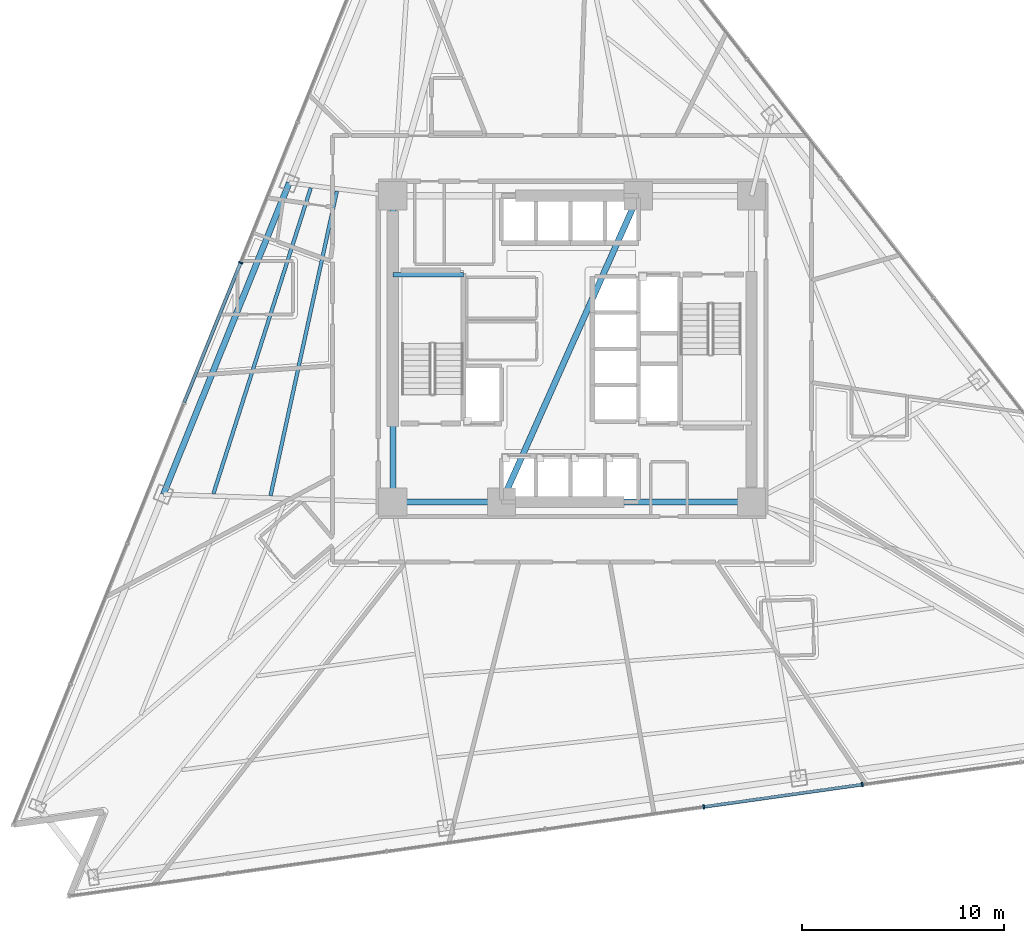
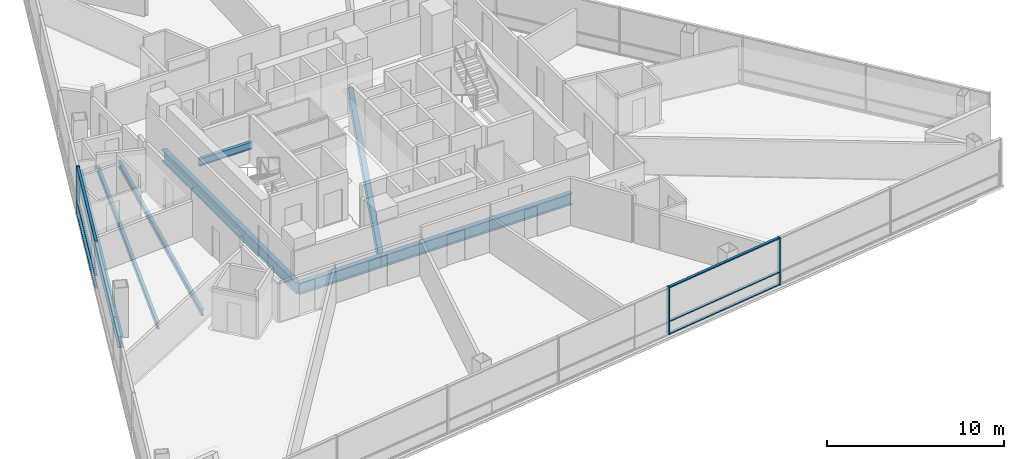
# One storey, part 3 of 15: 9 members, 8 beams, 2 elements without a shape of their own.
"""IFC4 building model written with IfcOpenShell, lengths in metres."""

from ifc_helpers import new_model, si_unit, direction, frame, origin, origin_2d, place, context, subcontext, project, spatial, rectangle, i_section, extrude, material, layer, layer_set, material_profile, profile_set, type_object, element, aggregate, save


model = new_model("IFC4")

# Units and contexts
model_context = context("Model", 3, precision=1e-05, world=origin(), true_north=direction((0.0, 1.0)))
body_context = subcontext(model_context, "Body", "Model", "MODEL_VIEW")
ifc_project = project(units=[si_unit("LENGTHUNIT", "METRE"), si_unit("AREAUNIT", "SQUARE_METRE"), si_unit("VOLUMEUNIT", "CUBIC_METRE"), si_unit("PLANEANGLEUNIT", "RADIAN"), si_unit("MASSUNIT", "GRAM", prefix="KILO")], contexts=[model_context])

# Site, building, storey
site_placement = place(None, origin())
site = spatial("IfcSite", under=ifc_project, at=site_placement, CompositionType="ELEMENT")
building_placement = place(site_placement, origin())
building = spatial("IfcBuilding", under=site, at=building_placement, Name="Tharavind Bronze Gate", CompositionType="ELEMENT")
storey_placement = place(building_placement, frame((0.0, 0.0, 67.300048828125)))
storey = spatial("IfcBuildingStorey", under=building, at=storey_placement, Name="L16", CompositionType="ELEMENT", Elevation=67.300048828125)

# Curtain wall, member
ifc_material_1 = material(Name="Anodised Bronze Aluminium", Category="aluminium")
ifc_layer = layer(ifc_material_1, 0.219970703125)
ifc_layer_set = layer_set([ifc_layer], Name="Anodised Bronze Aluminium")
curtain_wall_type = type_object("IfcCurtainWallType", Name="UNITISED CURTAIN WALL HOTEL", PredefinedType="USERDEFINED", material=ifc_layer_set)
curtain_wall_1_placement = place(storey_placement, origin())
curtain_wall_1 = element("IfcCurtainWall", 1, at=curtain_wall_1_placement, inside=storey, type_object=curtain_wall_type, Name="L16 unitised curtain wall hotel CW-L16-S1", ObjectType="UNITISED CURTAIN WALL", PredefinedType="USERDEFINED")
member_type_1 = type_object("IfcMemberType", Name="CURTAIN WALL MULLION 80X220", PredefinedType="MULLION", material=ifc_material_1)
member_1_placement = place(storey_placement, frame((-16.4462890625, 4.279541015625, 0.0), z_axis=(0.0, 0.0, 1.0), x_axis=(-0.374606593416, -0.927183854567, 0.0)))
member_1 = element("IfcMember", 2, at=member_1_placement, type_object=member_type_1, Name="CW-L16-S1 mullion 4", PredefinedType="MULLION", context=body_context, shape_type="SweptSolid", body=[
    extrude(rectangle(XDim=0.080078125, YDim=0.219970703125, at=origin_2d()), origin(), (0.0, 0.0, 1.0), 3.27490234375),
])

# Curtain wall, members
curtain_wall_2_placement = place(storey_placement, origin())
curtain_wall_2 = element("IfcCurtainWall", 3, at=curtain_wall_2_placement, inside=storey, type_object=curtain_wall_type, Name="L16 unitised curtain wall hotel CW-L16-S2", ObjectType="UNITISED CURTAIN WALL", PredefinedType="USERDEFINED")
member_2_placement = place(storey_placement, frame((6.52880859375, -22.7158203125, 0.0), z_axis=(0.0, 0.0, 1.0), x_axis=(0.990268068742, 0.13917310096, 0.0)))
member_2 = element("IfcMember", 4, at=member_2_placement, type_object=member_type_1, Name="CW-L16-S2 mullion 5", PredefinedType="MULLION", context=body_context, shape_type="SweptSolid", body=[
    extrude(rectangle(XDim=0.080078125, YDim=0.219970703125, at=origin_2d()), origin(), (0.0, 0.0, 1.0), 3.27490234375),
])
member_3_placement = place(storey_placement, frame((14.39501953125, -21.610107421875, 0.0), z_axis=(0.0, 0.0, 1.0), x_axis=(0.990268068742, 0.13917310096, 0.0)))
member_3 = element("IfcMember", 5, at=member_3_placement, type_object=member_type_1, Name="CW-L16-S2 mullion 6", PredefinedType="MULLION", context=body_context, shape_type="SweptSolid", body=[
    extrude(rectangle(XDim=0.080078125, YDim=0.219970703125, at=origin_2d()), origin(), (0.0, 0.0, 1.0), 3.27490234375),
])

# Member
member_type_2 = type_object("IfcMemberType", Name="CURTAIN WALL TRANSOM 80X160", PredefinedType="USERDEFINED", material=ifc_material_1)
member_4_placement = place(storey_placement, frame((-17.85400390625, 0.795654296875, 0.0), z_axis=(0.0, 0.0, 1.0), x_axis=(-0.374606593416, -0.927183854567, 0.0)))
member_4 = element("IfcMember", 6, at=member_4_placement, type_object=member_type_2, Name="CW-L16-S1 transom TB4", ObjectType="TRANSOM", PredefinedType="USERDEFINED", context=body_context, shape_type="SweptSolid", body=[
    extrude(rectangle(XDim=7.447021484375, YDim=0.159912109375, at=origin_2d()), origin(), (0.0, 0.0, 1.0), 0.080078125),
])

member_5_placement = place(storey_placement, frame((-17.85400390625, 0.795654296875, 0.85986328125), z_axis=(0.0, 0.0, 1.0), x_axis=(-0.374606593416, -0.927183854567, 0.0)))
member_5 = element("IfcMember", 7, at=member_5_placement, type_object=member_type_2, Name="CW-L16-S1 transom TS4", ObjectType="TRANSOM", PredefinedType="USERDEFINED", context=body_context, shape_type="SweptSolid", body=[
    extrude(rectangle(XDim=7.447021484375, YDim=0.159912109375, at=origin_2d()), origin(), (0.0, 0.0, 1.0), 0.080078125),
])

member_6_placement = place(storey_placement, frame((-17.85400390625, 0.795654296875, 3.19482421875), z_axis=(0.0, 0.0, 1.0), x_axis=(-0.374606593416, -0.927183854567, 0.0)))
member_6 = element("IfcMember", 8, at=member_6_placement, type_object=member_type_2, Name="CW-L16-S1 transom TT4", ObjectType="TRANSOM", PredefinedType="USERDEFINED", context=body_context, shape_type="SweptSolid", body=[
    extrude(rectangle(XDim=7.447021484375, YDim=0.159912109375, at=origin_2d()), origin(), (0.0, 0.0, 1.0), 0.080078125),
])

aggregate(curtain_wall_1, [member_1, member_4, member_5, member_6])

member_7_placement = place(storey_placement, frame((10.4619140625, -22.1630859375, 0.0), z_axis=(0.0, 0.0, 1.0), x_axis=(0.990268068742, 0.13917310096, 0.0)))
member_7 = element("IfcMember", 9, at=member_7_placement, type_object=member_type_2, Name="CW-L16-S2 transom TB5", ObjectType="TRANSOM", PredefinedType="USERDEFINED", context=body_context, shape_type="SweptSolid", body=[
    extrude(rectangle(XDim=7.87548828125, YDim=0.159912109375, at=origin_2d()), origin(), (0.0, 0.0, 1.0), 0.080078125),
])

member_8_placement = place(storey_placement, frame((10.4619140625, -22.1630859375, 0.85986328125), z_axis=(0.0, 0.0, 1.0), x_axis=(0.990268068742, 0.13917310096, 0.0)))
member_8 = element("IfcMember", 10, at=member_8_placement, type_object=member_type_2, Name="CW-L16-S2 transom TS5", ObjectType="TRANSOM", PredefinedType="USERDEFINED", context=body_context, shape_type="SweptSolid", body=[
    extrude(rectangle(XDim=7.87548828125, YDim=0.159912109375, at=origin_2d()), origin(), (0.0, 0.0, 1.0), 0.080078125),
])

member_9_placement = place(storey_placement, frame((10.4619140625, -22.1630859375, 3.19482421875), z_axis=(0.0, 0.0, 1.0), x_axis=(0.990268068742, 0.13917310096, 0.0)))
member_9 = element("IfcMember", 11, at=member_9_placement, type_object=member_type_2, Name="CW-L16-S2 transom TT5", ObjectType="TRANSOM", PredefinedType="USERDEFINED", context=body_context, shape_type="SweptSolid", body=[
    extrude(rectangle(XDim=7.87548828125, YDim=0.159912109375, at=origin_2d()), origin(), (0.0, 0.0, 1.0), 0.080078125),
])

aggregate(curtain_wall_2, [member_2, member_3, member_7, member_8, member_9])

# Beams
ifc_material_2 = material(Name="Steel S355", Category="steel")
ifc_material_profile_1 = material_profile(ifc_material_2, i_section(OverallWidth=0.199951171875, OverallDepth=0.5, WebThickness=0.01025390625, FlangeThickness=0.01611328125, at=origin_2d()), Name="IPE500")
ifc_profile_set_1 = profile_set([ifc_material_profile_1], Name="Steel S355")
beam_type_1 = type_object("IfcBeamType", Name="PRIMARY GIRDER IPE500", PredefinedType="USERDEFINED", material=ifc_profile_set_1)
beam_1_placement = place(storey_placement, frame((-8.89990234375, 3.679931640625, 1.27490234375), z_axis=(1.0, 0.0, 0.0), x_axis=(0.0, 1.0, 0.0)))
element("IfcBeam", 12, at=beam_1_placement, inside=storey, type_object=beam_type_1, Name="L16 primary girder ipe500 BM-LD-ST1-L16-1", ObjectType="GIRDER", PredefinedType="USERDEFINED", context=body_context, shape_type="SweptSolid", body=[
    extrude(i_section(OverallWidth=0.199951171875, OverallDepth=0.5, WebThickness=0.01025390625, FlangeThickness=0.01611328125, at=origin_2d()), origin(), (0.0, 0.0, 1.0), 3.5),
])
ifc_material_profile_2 = material_profile(ifc_material_2, i_section(OverallWidth=0.300048828125, OverallDepth=0.800048828125, WebThickness=0.017578125, FlangeThickness=0.032958984375, at=origin_2d()), Name="HE800B")
ifc_profile_set_2 = profile_set([ifc_material_profile_2], Name="Steel S355")
beam_type_2 = type_object("IfcBeamType", Name="RING GIRDER HE800B", PredefinedType="USERDEFINED", material=ifc_profile_set_2)
beam_2_placement = place(storey_placement, frame((-8.89990234375, -7.60009765625, -0.574951171875), z_axis=(1.0, 0.0, 0.0), x_axis=(0.0, 1.0, 0.0)))
element("IfcBeam", 13, at=beam_2_placement, inside=storey, type_object=beam_type_2, Name="L16 ring girder he800b BM-L16-CR1", ObjectType="GIRDER", PredefinedType="USERDEFINED", context=body_context, shape_type="SweptSolid", body=[
    extrude(i_section(OverallWidth=0.300048828125, OverallDepth=0.800048828125, WebThickness=0.017578125, FlangeThickness=0.032958984375, at=origin_2d()), origin(), (0.0, 0.0, 1.0), 5.39990234375),
])
beam_3_placement = place(storey_placement, frame((-3.5, -7.60009765625, -0.574951171875), z_axis=(1.0, 0.0, 0.0), x_axis=(0.0, 1.0, 0.0)))
element("IfcBeam", 14, at=beam_3_placement, inside=storey, type_object=beam_type_2, Name="L16 ring girder he800b BM-L16-CR2", ObjectType="GIRDER", PredefinedType="USERDEFINED", context=body_context, shape_type="SweptSolid", body=[
    extrude(i_section(OverallWidth=0.300048828125, OverallDepth=0.800048828125, WebThickness=0.017578125, FlangeThickness=0.032958984375, at=origin_2d()), origin(), (0.0, 0.0, 1.0), 12.39990234375),
])
beam_4_placement = place(storey_placement, frame((-8.89990234375, 7.60009765625, -0.574951171875), z_axis=(0.0, -1.0, 0.0), x_axis=(1.0, 0.0, 0.0)))
element("IfcBeam", 15, at=beam_4_placement, inside=storey, type_object=beam_type_2, Name="L16 ring girder he800b BM-L16-CR6", ObjectType="GIRDER", PredefinedType="USERDEFINED", context=body_context, shape_type="SweptSolid", body=[
    extrude(i_section(OverallWidth=0.300048828125, OverallDepth=0.800048828125, WebThickness=0.017578125, FlangeThickness=0.032958984375, at=origin_2d()), origin(), (0.0, 0.0, 1.0), 15.2001953125),
])
beam_5_placement = place(storey_placement, frame((-3.5, -7.60009765625, -0.574951171875), z_axis=(0.407361644566, 0.913266932795, 0.0), x_axis=(-0.913266932795, 0.407361644566, 0.0)))
element("IfcBeam", 16, at=beam_5_placement, inside=storey, type_object=beam_type_2, Name="L16 ring girder he800b BM-L16-CR7", ObjectType="GIRDER", PredefinedType="USERDEFINED", context=body_context, shape_type="SweptSolid", body=[
    extrude(i_section(OverallWidth=0.300048828125, OverallDepth=0.800048828125, WebThickness=0.017578125, FlangeThickness=0.032958984375, at=origin_2d()), origin(), (0.0, 0.0, 1.0), 16.643798828125),
])
beam_6_placement = place(storey_placement, frame((-14.036376953125, 8.2421875, -0.574951171875), z_axis=(-0.374613188644, -0.927181189894, 0.0), x_axis=(0.927181189894, -0.374613188644, 0.0)))
element("IfcBeam", 17, at=beam_6_placement, inside=storey, type_object=beam_type_2, Name="L16 ring girder he800b BM-L16-PRG02", ObjectType="GIRDER", PredefinedType="USERDEFINED", context=body_context, shape_type="SweptSolid", body=[
    extrude(i_section(OverallWidth=0.300048828125, OverallDepth=0.800048828125, WebThickness=0.017578125, FlangeThickness=0.032958984375, at=origin_2d()), origin(), (0.0, 0.0, 1.0), 16.6689453125),
])
ifc_material_profile_3 = material_profile(ifc_material_2, i_section(OverallWidth=0.179931640625, OverallDepth=0.39990234375, WebThickness=0.008544921875, FlangeThickness=0.013427734375, at=origin_2d()), Name="IPE400")
ifc_profile_set_3 = profile_set([ifc_material_profile_3], Name="Steel S355")
beam_type_3 = type_object("IfcBeamType", Name="SECONDARY FLOOR JOIST IPE400", PredefinedType="JOIST", material=ifc_profile_set_3)
beam_7_placement = place(storey_placement, frame((-11.67236328125, 7.831787109375, -0.375), z_axis=(-0.212838572198, -0.977087376945, 0.0), x_axis=(0.977087376945, -0.212838572198, 0.0)))
element("IfcBeam", 18, at=beam_7_placement, inside=storey, type_object=beam_type_3, Name="L16 secondary floor joist ipe400 BM-L16-JSTA02", PredefinedType="JOIST", context=body_context, shape_type="SweptSolid", body=[
    extrude(i_section(OverallWidth=0.179931640625, OverallDepth=0.39990234375, WebThickness=0.008544921875, FlangeThickness=0.013427734375, at=origin_2d()), origin(), (0.0, 0.0, 1.0), 15.4658203125),
])
beam_8_placement = place(storey_placement, frame((-12.967041015625, 7.993896484375, -0.375), z_axis=(-0.303309311807, -0.952892156212, 0.0), x_axis=(0.952892156212, -0.303309311807, 0.0)))
element("IfcBeam", 19, at=beam_8_placement, inside=storey, type_object=beam_type_3, Name="L16 secondary floor joist ipe400 BM-L16-JSTB02", PredefinedType="JOIST", context=body_context, shape_type="SweptSolid", body=[
    extrude(i_section(OverallWidth=0.179931640625, OverallDepth=0.39990234375, WebThickness=0.008544921875, FlangeThickness=0.013427734375, at=origin_2d()), origin(), (0.0, 0.0, 1.0), 15.927734375),
])

save(model, "model.ifc")
